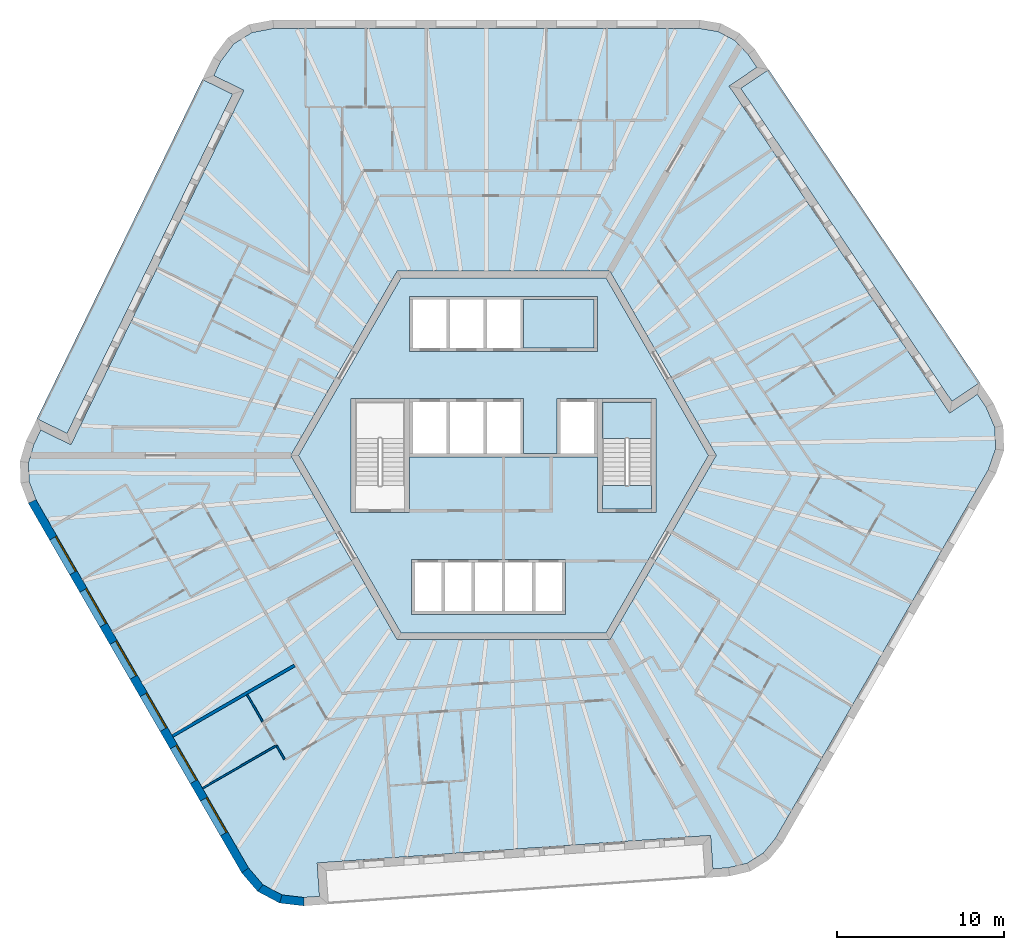
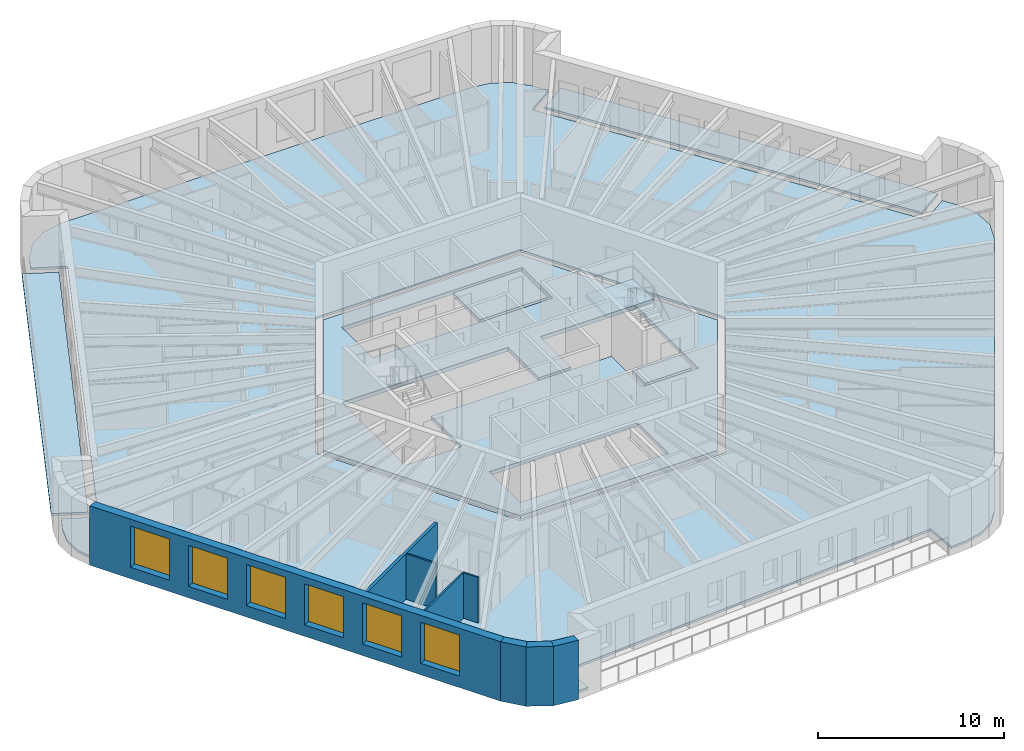
# One storey, part 2 of 12: 8 walls, 7 slabs, 6 windows, 6 openings, 1 element without a shape of its own.
"""IFC4 building model written with IfcOpenShell, lengths in metres."""

from ifc_helpers import new_model, si_unit, direction, frame, frame_2d, origin, place, context, subcontext, project, spatial, polyline, rectangle, outline, extrude, material, layer, layer_set, type_object, element, fill, aggregate, save


model = new_model("IFC4")

# Units and contexts
model_context = context("Model", 3, precision=1e-05, world=origin(), true_north=direction((0.0, 1.0)))
body_context = subcontext(model_context, "Body", "Model", "MODEL_VIEW")
ifc_project = project(units=[si_unit("LENGTHUNIT", "METRE"), si_unit("AREAUNIT", "SQUARE_METRE"), si_unit("VOLUMEUNIT", "CUBIC_METRE"), si_unit("PLANEANGLEUNIT", "RADIAN"), si_unit("MASSUNIT", "GRAM", prefix="KILO")], contexts=[model_context])

# Site, building, storey
site_placement = place(None, origin())
site = spatial("IfcSite", under=ifc_project, at=site_placement, CompositionType="ELEMENT")
building_placement = place(site_placement, origin())
building = spatial("IfcBuilding", under=site, at=building_placement, Name="Tarnside Tower", CompositionType="ELEMENT")
storey_placement = place(building_placement, frame((0.0, 0.0, 310.800048828125)))
storey = spatial("IfcBuildingStorey", under=building, at=storey_placement, Name="L75", CompositionType="ELEMENT", Elevation=310.800048828125)

# Slabs
ifc_material_1 = material(Name="Concrete C35/45", Category="concrete")
ifc_layer_1 = layer(ifc_material_1, 0.14990234375)
ifc_layer_set_1 = layer_set([ifc_layer_1], Name="Composite floor slab 150")
slab_type_1 = type_object("IfcSlabType", Name="Composite floor slab 150", PredefinedType="FLOOR", material=ifc_layer_set_1)
slab_1_placement = place(storey_placement, frame((0.0, 0.0, -0.150146484375)))
element("IfcSlab", 1, at=slab_1_placement, inside=storey, type_object=slab_type_1, Name="Floor slab L75", PredefinedType="FLOOR", context=body_context, shape_type="SweptSolid", body=[
    extrude(outline(polyline([(12.81689453125, 25.312744140625), (13.818115234375, 24.7802734375), (14.610595703125, 23.940185546875), (15.130615234375, 23.169677734375), (13.472412109375, 22.05126953125), (26.638427734375, 2.53173828125), (28.29638671875, 3.650146484375), (28.814697265625, 2.8818359375), (29.336669921875, 1.671875), (29.3818359375, 0.378662109375), (28.945556640625, -0.864990234375), (16.2451171875, -22.86279296875), (15.51318359375, -23.756103515625), (14.55126953125, -24.35693359375), (13.427490234375, -24.623291015625), (12.500244140625, -24.688232421875), (12.360595703125, -22.693115234375), (-11.126708984375, -24.33544921875), (-10.9873046875, -26.33056640625), (-11.91162109375, -26.395263671875), (-13.220458984375, -26.2421875), (-14.363037109375, -25.634765625), (-15.2216796875, -24.635009765625), (-27.922119140625, -2.63720703125), (-28.329833984375, -1.556640625), (-28.369384765625, -0.42333984375), (-28.0380859375, 0.68310546875), (-27.630615234375, 1.5185546875), (-25.8330078125, 0.641845703125), (-15.51171875, 21.8037109375), (-17.309326171875, 22.680419921875), (-16.903076171875, 23.51318359375), (-16.1162109375, 24.5703125), (-15.018798828125, 25.256103515625), (-13.723876953125, 25.5), (11.67724609375, 25.5), (12.81689453125, 25.312744140625)]), holes=[polyline([(-12.70166015625, 0.0), (-6.350830078125, -11.0), (6.350830078125, -11.0), (12.70166015625, 0.0), (6.350830078125, 11.0), (-6.350830078125, 11.0), (-12.70166015625, 0.0)])]), origin(), (0.0, 0.0, 1.0), 0.150146484375),
])
ifc_material_2 = material(Name="Concrete C40/50", Category="concrete")
ifc_layer_2 = layer(ifc_material_2, 0.25)
ifc_layer_set_2 = layer_set([ifc_layer_2], Name="Core slab C40/50")
slab_type_2 = type_object("IfcSlabType", Name="Core slab C40/50", PredefinedType="FLOOR", material=ifc_layer_set_2)
slab_2_placement = place(storey_placement, frame((0.0, 0.0, -0.25)))
element("IfcSlab", 2, at=slab_2_placement, inside=storey, type_object=slab_type_2, Name="L75 core floor slab 1", PredefinedType="FLOOR", context=body_context, shape_type="SweptSolid", body=[
    extrude(outline(polyline([(6.119873046875, 10.60009765625), (12.23974609375, 0.0), (6.119873046875, -10.60009765625), (-6.119873046875, -10.60009765625), (-12.23974609375, 0.0), (-6.119873046875, 10.60009765625), (6.119873046875, 10.60009765625)]), holes=[polyline([(-5.5, -9.5), (3.699951171875, -9.5), (3.699951171875, -9.300048828125), (3.699951171875, -6.39990234375), (3.699951171875, -6.199951171875), (-5.5, -6.199951171875), (-5.5, -6.39990234375), (-5.5, -9.300048828125), (-5.5, -9.5)]), polyline([(-5.60009765625, -3.39990234375), (-5.60009765625, -0.10009765625), (5.60009765625, -0.10009765625), (5.60009765625, -3.39990234375), (5.89990234375, -3.39990234375), (8.85009765625, -3.39990234375), (9.10009765625, -3.39990234375), (9.10009765625, 3.39990234375), (8.85009765625, 3.39990234375), (5.89990234375, 3.39990234375), (5.60009765625, 3.39990234375), (3.39990234375, 3.39990234375), (3.199951171875, 3.39990234375), (3.199951171875, 0.10009765625), (1.199951171875, 0.10009765625), (1.199951171875, 3.39990234375), (1.0, 3.39990234375), (-5.60009765625, 3.39990234375), (-5.89990234375, 3.39990234375), (-8.85009765625, 3.39990234375), (-9.10009765625, 3.39990234375), (-9.10009765625, -3.39990234375), (-8.85009765625, -3.39990234375), (-5.89990234375, -3.39990234375), (-5.60009765625, -3.39990234375)]), polyline([(-5.60009765625, 6.199951171875), (5.60009765625, 6.199951171875), (5.60009765625, 6.39990234375), (5.60009765625, 9.300048828125), (5.60009765625, 9.5), (-5.60009765625, 9.5), (-5.60009765625, 9.300048828125), (-5.60009765625, 6.39990234375), (-5.60009765625, 6.199951171875)])]), origin(), (0.0, 0.0, 1.0), 0.25),
])
slab_3_placement = place(storey_placement, frame((0.0, 0.0, -0.25)))
element("IfcSlab", 3, at=slab_3_placement, inside=storey, type_object=slab_type_2, Name="L75 core floor slab 3", PredefinedType="FLOOR", context=body_context, shape_type="SweptSolid", body=[
    extrude(outline(polyline([(5.89990234375, -1.800048828125), (8.85009765625, -1.800048828125), (8.85009765625, -3.199951171875), (5.89990234375, -3.199951171875), (5.89990234375, -1.800048828125)])), origin(), (0.0, 0.0, 1.0), 0.25),
])
slab_4_placement = place(storey_placement, frame((0.0, 0.0, -0.25)))
element("IfcSlab", 4, at=slab_4_placement, inside=storey, type_object=slab_type_2, Name="L75 core floor slab 4", PredefinedType="FLOOR", context=body_context, shape_type="SweptSolid", body=[
    extrude(outline(polyline([(5.39990234375, 6.39990234375), (1.199951171875, 6.39990234375), (1.199951171875, 9.300048828125), (5.39990234375, 9.300048828125), (5.39990234375, 6.39990234375)])), origin(), (0.0, 0.0, 1.0), 0.25),
])
ifc_material_3 = material(Name="Timber decking", Category="wood")
ifc_layer_3 = layer(ifc_material_3, 0.0400390625)
ifc_material_4 = material(Name="Concrete C60/75 precast", Category="concrete")
ifc_layer_4 = layer(ifc_material_4, 0.110107421875)
ifc_layer_set_3 = layer_set([ifc_layer_3, ifc_layer_4], Name="Loggia deck 150")
slab_type_3 = type_object("IfcSlabType", Name="Loggia deck 150", PredefinedType="FLOOR", material=ifc_layer_set_3)
slab_5_placement = place(storey_placement, frame((0.0, 0.0, -0.150146484375)))
element("IfcSlab", 5, at=slab_5_placement, inside=storey, type_object=slab_type_3, Name="Loggia deck L75 F2", PredefinedType="FLOOR", context=body_context, shape_type="SweptSolid", body=[
    extrude(outline(polyline([(-16.180419921875, 21.573486328125), (-26.063232421875, 1.310302734375), (-27.86083984375, 2.187255859375), (-17.97802734375, 22.4501953125), (-16.180419921875, 21.573486328125)])), origin(), (0.0, 0.0, 1.0), 0.150146484375),
])
slab_6_placement = place(storey_placement, frame((0.0, 0.0, -0.150146484375)))
element("IfcSlab", 6, at=slab_6_placement, inside=storey, type_object=slab_type_3, Name="Loggia deck L75 F6", PredefinedType="FLOOR", context=body_context, shape_type="SweptSolid", body=[
    extrude(outline(polyline([(26.7734375, 3.225830078125), (14.16650390625, 21.916259765625), (15.82470703125, 23.03466796875), (28.431396484375, 4.34423828125), (26.7734375, 3.225830078125)])), origin(), (0.0, 0.0, 1.0), 0.150146484375),
])

# Stair, slab
stair_type = type_object("IfcStairType", Name="Exit stair 1400 clear", PredefinedType="HALF_TURN_STAIR", material=ifc_material_2)
stair_placement = place(storey_placement, origin())
stair = element("IfcStair", 7, at=stair_placement, inside=storey, type_object=stair_type, Name="L75 Exit stair 1", PredefinedType="HALF_TURN_STAIR")
ifc_layer_5 = layer(ifc_material_2, 0.199951171875)
ifc_layer_set_4 = layer_set([ifc_layer_5], Name="Stair landing 200 C40/50")
slab_type_4 = type_object("IfcSlabType", Name="Stair landing 200 C40/50", PredefinedType="LANDING", material=ifc_layer_set_4)
slab_7_placement = place(storey_placement, frame((0.0, 0.0, 1.75)))
slab_7 = element("IfcSlab", 8, at=slab_7_placement, type_object=slab_type_4, Name="ST1 landing 1", PredefinedType="LANDING", context=body_context, shape_type="SweptSolid", body=[
    extrude(outline(polyline([(8.85009765625, 1.0), (8.85009765625, 3.199951171875), (5.89990234375, 3.199951171875), (5.89990234375, 1.0), (8.85009765625, 1.0)])), origin(), (0.0, 0.0, 1.0), 0.199951171875),
])
aggregate(stair, [slab_7])

# Walls
ifc_material_5 = material(Name="Gypsum board partition on steel studs", Category="steel")
ifc_layer_6 = layer(ifc_material_5, 0.10009765625)
ifc_layer_set_5 = layer_set([ifc_layer_6], Name="Bathroom wall 100")
wall_type_1 = type_object("IfcWallType", Name="Bathroom wall 100", PredefinedType="PARTITIONING", material=ifc_layer_set_5)
wall_1_placement = place(storey_placement, frame((-15.3095703125, -14.283203125, 0.0), z_axis=(0.0, 0.0, 1.0), x_axis=(0.500059143742, -0.865991254436, 0.0)))
element("IfcWall", 9, at=wall_1_placement, inside=storey, type_object=wall_type_1, Name="Bathroom wall 24132", PredefinedType="PARTITIONING", context=body_context, shape_type="SweptSolid", body=[
    extrude(rectangle(XDim=1.862060546875, YDim=0.10009765625, at=frame_2d((0.93115234375, 0.0))), origin(), (0.0, 0.0, 1.0), 2.98779296875),
])
ifc_layer_7 = layer(ifc_material_5, 0.179931640625)
ifc_layer_set_6 = layer_set([ifc_layer_7], Name="Demising wall 180 EI 60")
wall_type_2 = type_object("IfcWallType", Name="Demising wall 180 EI 60", PredefinedType="PARTITIONING", material=ifc_layer_set_6)
wall_2_placement = place(storey_placement, frame((-19.771240234375, -16.755126953125, 0.0), z_axis=(0.0, 0.0, 1.0), x_axis=(0.866026819143, 0.499997548519, 0.0)))
element("IfcWall", 10, at=wall_2_placement, inside=storey, type_object=wall_type_2, Name="Demising wall 24116", PredefinedType="PARTITIONING", context=body_context, shape_type="SweptSolid", body=[
    extrude(rectangle(XDim=8.4248046875, YDim=0.179931640625, at=frame_2d((4.21240234375, 0.0))), origin(), (0.0, 0.0, 1.0), 2.98779296875),
])
ifc_layer_8 = layer(ifc_material_5, 0.10009765625)
ifc_layer_set_7 = layer_set([ifc_layer_8], Name="Partition 100")
wall_type_3 = type_object("IfcWallType", Name="Partition 100", PredefinedType="PARTITIONING", material=ifc_layer_set_7)
wall_3_placement = place(storey_placement, frame((-13.07958984375, -18.1455078125, 0.0), z_axis=(0.0, 0.0, 1.0), x_axis=(-0.49986306505, 0.866104448781, 0.0)))
element("IfcWall", 11, at=wall_3_placement, inside=storey, type_object=wall_type_3, Name="Partition wall 24126", PredefinedType="PARTITIONING", context=body_context, shape_type="SweptSolid", body=[
    extrude(rectangle(XDim=0.951904296875, YDim=0.10009765625, at=frame_2d((0.47607421875, 0.0))), origin(), (0.0, 0.0, 1.0), 2.98779296875),
])
wall_4_placement = place(storey_placement, frame((-13.597900390625, -17.347900390625, 0.0), z_axis=(0.0, 0.0, 1.0), x_axis=(-0.866026981659, -0.499997267031, 0.0)))
element("IfcWall", 12, at=wall_4_placement, inside=storey, type_object=wall_type_3, Name="Partition wall 24127", PredefinedType="PARTITIONING", context=body_context, shape_type="SweptSolid", body=[
    extrude(rectangle(XDim=5.0498046875, YDim=0.10009765625, at=frame_2d((2.52490234375, 0.0))), origin(), (0.0, 0.0, 1.0), 2.98779296875),
])

# Wall, openings, windows
ifc_material_6 = material(Name="Facing brick", Category="masonry")
ifc_layer_9 = layer(ifc_material_6, 0.10205078125)
ifc_layer_10 = layer(ifc_material_4, 0.298095703125)
ifc_material_7 = material(Name="Mineral wool insulation")
ifc_layer_11 = layer(ifc_material_7, 0.10009765625)
ifc_layer_set_8 = layer_set([ifc_layer_9, ifc_layer_10, ifc_layer_11], Name="Tube wall 500 brick faced")
wall_type_4 = type_object("IfcWallType", Name="Tube wall 500 brick faced", PredefinedType="SOLIDWALL", material=ifc_layer_set_8)
wall_5_placement = place(storey_placement, frame((-28.14892578125, -2.74462890625, -0.150146484375), z_axis=(0.0, 0.0, 1.0), x_axis=(0.500003737743, -0.866023245787, 0.0)))
wall_5 = element("IfcWall", 13, at=wall_5_placement, inside=storey, type_object=wall_type_4, Name="Tube wall L75 F3 flush 12", PredefinedType="SOLIDWALL", context=body_context, shape_type="SweptSolid", body=[
    extrude(outline(polyline([(-0.0205078125, -0.25), (25.468017578125, -0.25), (25.421142578125, 0.25), (0.0205078125, 0.25), (-0.0205078125, -0.25)])), origin(), (0.0, 0.0, 1.0), 3.900146484375),
])
opening_1_placement = place(wall_5_placement, frame((2.5224609375, 0.0, 0.75)))
opening_1 = element("IfcOpeningElement", 14, at=opening_1_placement, cuts=wall_5, Name="Opening WR", PredefinedType="OPENING", context=body_context, shape_type="SweptSolid", body=[
    extrude(rectangle(XDim=2.39990234375, YDim=2.699951171875, at=frame_2d((1.199951171875, 1.35009765625))), frame((0.0, 0.260009765625, 0.0), z_axis=(0.0, -1.0, 0.0), x_axis=(1.0, 0.0, 0.0)), (0.0, 0.0, 1.0), 0.52001953125),
])
opening_2_placement = place(wall_5_placement, frame((6.122314453125, 0.0, 0.75)))
opening_2 = element("IfcOpeningElement", 15, at=opening_2_placement, cuts=wall_5, Name="Opening WR", PredefinedType="OPENING", context=body_context, shape_type="SweptSolid", body=[
    extrude(rectangle(XDim=2.39990234375, YDim=2.699951171875, at=frame_2d((1.199951171875, 1.35009765625))), frame((0.0, 0.260009765625, 0.0), z_axis=(0.0, -1.0, 0.0), x_axis=(1.0, 0.0, 0.0)), (0.0, 0.0, 1.0), 0.52001953125),
])
opening_3_placement = place(wall_5_placement, frame((9.722412109375, 0.0, 0.75)))
opening_3 = element("IfcOpeningElement", 16, at=opening_3_placement, cuts=wall_5, Name="Opening WR", PredefinedType="OPENING", context=body_context, shape_type="SweptSolid", body=[
    extrude(rectangle(XDim=2.39990234375, YDim=2.699951171875, at=frame_2d((1.199951171875, 1.35009765625))), frame((0.0, 0.260009765625, 0.0), z_axis=(0.0, -1.0, 0.0), x_axis=(1.0, 0.0, 0.0)), (0.0, 0.0, 1.0), 0.52001953125),
])
opening_4_placement = place(wall_5_placement, frame((13.322509765625, 0.0, 0.75)))
opening_4 = element("IfcOpeningElement", 17, at=opening_4_placement, cuts=wall_5, Name="Opening WR", PredefinedType="OPENING", context=body_context, shape_type="SweptSolid", body=[
    extrude(rectangle(XDim=2.39990234375, YDim=2.699951171875, at=frame_2d((1.199951171875, 1.35009765625))), frame((0.0, 0.260009765625, 0.0), z_axis=(0.0, -1.0, 0.0), x_axis=(1.0, 0.0, 0.0)), (0.0, 0.0, 1.0), 0.52001953125),
])
opening_5_placement = place(wall_5_placement, frame((16.92236328125, 0.0, 0.75)))
opening_5 = element("IfcOpeningElement", 18, at=opening_5_placement, cuts=wall_5, Name="Opening WR", PredefinedType="OPENING", context=body_context, shape_type="SweptSolid", body=[
    extrude(rectangle(XDim=2.39990234375, YDim=2.699951171875, at=frame_2d((1.199951171875, 1.35009765625))), frame((0.0, 0.260009765625, 0.0), z_axis=(0.0, -1.0, 0.0), x_axis=(1.0, 0.0, 0.0)), (0.0, 0.0, 1.0), 0.52001953125),
])
opening_6_placement = place(wall_5_placement, frame((20.5224609375, 0.0, 0.75)))
opening_6 = element("IfcOpeningElement", 19, at=opening_6_placement, cuts=wall_5, Name="Opening WR", PredefinedType="OPENING", context=body_context, shape_type="SweptSolid", body=[
    extrude(rectangle(XDim=2.39990234375, YDim=2.699951171875, at=frame_2d((1.199951171875, 1.35009765625))), frame((0.0, 0.260009765625, 0.0), z_axis=(0.0, -1.0, 0.0), x_axis=(1.0, 0.0, 0.0)), (0.0, 0.0, 1.0), 0.52001953125),
])
ifc_material_8 = material(Name="Aluminium-framed double glazing", Category="aluminium")
window_type = type_object("IfcWindowType", Name="Residence window 2400 x 2700", PartitioningType="DOUBLE_PANEL_VERTICAL", PredefinedType="WINDOW", material=ifc_material_8)
window_1_placement = place(opening_1_placement, frame((0.0, 0.179931640625, 0.0)))
window_1 = element("IfcWindow", 20, at=window_1_placement, inside=storey, type_object=window_type, Name="E.WN.L75.F3.00", OverallHeight=2.699951171875, OverallWidth=2.39990234375, PartitioningType="DOUBLE_PANEL_VERTICAL", PredefinedType="WINDOW", context=body_context, shape_type="SweptSolid", body=[
    extrude(rectangle(XDim=2.39990234375, YDim=2.699951171875, at=frame_2d((1.199951171875, 1.35009765625))), frame((0.0, 0.030029296875, 0.0), z_axis=(0.0, -1.0, 0.0), x_axis=(1.0, 0.0, 0.0)), (0.0, 0.0, 1.0), 0.06005859375),
])
fill(opening_1, window_1)
window_2_placement = place(opening_2_placement, frame((0.0, 0.179931640625, 0.0)))
window_2 = element("IfcWindow", 21, at=window_2_placement, inside=storey, type_object=window_type, Name="E.WN.L75.F3.01", OverallHeight=2.699951171875, OverallWidth=2.39990234375, PartitioningType="DOUBLE_PANEL_VERTICAL", PredefinedType="WINDOW", context=body_context, shape_type="SweptSolid", body=[
    extrude(rectangle(XDim=2.39990234375, YDim=2.699951171875, at=frame_2d((1.199951171875, 1.35009765625))), frame((0.0, 0.030029296875, 0.0), z_axis=(0.0, -1.0, 0.0), x_axis=(1.0, 0.0, 0.0)), (0.0, 0.0, 1.0), 0.06005859375),
])
fill(opening_2, window_2)
window_3_placement = place(opening_3_placement, frame((0.0, 0.179931640625, 0.0)))
window_3 = element("IfcWindow", 22, at=window_3_placement, inside=storey, type_object=window_type, Name="E.WN.L75.F3.02", OverallHeight=2.699951171875, OverallWidth=2.39990234375, PartitioningType="DOUBLE_PANEL_VERTICAL", PredefinedType="WINDOW", context=body_context, shape_type="SweptSolid", body=[
    extrude(rectangle(XDim=2.39990234375, YDim=2.699951171875, at=frame_2d((1.199951171875, 1.35009765625))), frame((0.0, 0.030029296875, 0.0), z_axis=(0.0, -1.0, 0.0), x_axis=(1.0, 0.0, 0.0)), (0.0, 0.0, 1.0), 0.06005859375),
])
fill(opening_3, window_3)
window_4_placement = place(opening_4_placement, frame((0.0, 0.179931640625, 0.0)))
window_4 = element("IfcWindow", 23, at=window_4_placement, inside=storey, type_object=window_type, Name="E.WN.L75.F3.03", OverallHeight=2.699951171875, OverallWidth=2.39990234375, PartitioningType="DOUBLE_PANEL_VERTICAL", PredefinedType="WINDOW", context=body_context, shape_type="SweptSolid", body=[
    extrude(rectangle(XDim=2.39990234375, YDim=2.699951171875, at=frame_2d((1.199951171875, 1.35009765625))), frame((0.0, 0.030029296875, 0.0), z_axis=(0.0, -1.0, 0.0), x_axis=(1.0, 0.0, 0.0)), (0.0, 0.0, 1.0), 0.06005859375),
])
fill(opening_4, window_4)
window_5_placement = place(opening_5_placement, frame((0.0, 0.179931640625, 0.0)))
window_5 = element("IfcWindow", 24, at=window_5_placement, inside=storey, type_object=window_type, Name="E.WN.L75.F3.04", OverallHeight=2.699951171875, OverallWidth=2.39990234375, PartitioningType="DOUBLE_PANEL_VERTICAL", PredefinedType="WINDOW", context=body_context, shape_type="SweptSolid", body=[
    extrude(rectangle(XDim=2.39990234375, YDim=2.699951171875, at=frame_2d((1.199951171875, 1.35009765625))), frame((0.0, 0.030029296875, 0.0), z_axis=(0.0, -1.0, 0.0), x_axis=(1.0, 0.0, 0.0)), (0.0, 0.0, 1.0), 0.06005859375),
])
fill(opening_5, window_5)
window_6_placement = place(opening_6_placement, frame((0.0, 0.179931640625, 0.0)))
window_6 = element("IfcWindow", 25, at=window_6_placement, inside=storey, type_object=window_type, Name="E.WN.L75.F3.05", OverallHeight=2.699951171875, OverallWidth=2.39990234375, PartitioningType="DOUBLE_PANEL_VERTICAL", PredefinedType="WINDOW", context=body_context, shape_type="SweptSolid", body=[
    extrude(rectangle(XDim=2.39990234375, YDim=2.699951171875, at=frame_2d((1.199951171875, 1.35009765625))), frame((0.0, 0.030029296875, 0.0), z_axis=(0.0, -1.0, 0.0), x_axis=(1.0, 0.0, 0.0)), (0.0, 0.0, 1.0), 0.06005859375),
])
fill(opening_6, window_6)

# Walls
wall_6_placement = place(storey_placement, frame((-15.426513671875, -24.7802734375, -0.150146484375), z_axis=(0.0, 0.0, 1.0), x_axis=(0.651616566281, -0.758548515619, 0.0)))
element("IfcWall", 26, at=wall_6_placement, inside=storey, type_object=wall_type_4, Name="Tube wall L75 F3 chord 13", PredefinedType="SOLIDWALL", context=body_context, shape_type="SweptSolid", body=[
    extrude(outline(polyline([(-0.0234375, -0.25), (1.435302734375, -0.25), (1.341064453125, 0.25), (0.0234375, 0.25), (-0.0234375, -0.25)])), origin(), (0.0, 0.0, 1.0), 3.900146484375),
])
wall_7_placement = place(storey_placement, frame((-14.52197265625, -25.833251953125, -0.150146484375), z_axis=(0.0, 0.0, 1.0), x_axis=(0.882926676147, -0.469510899286, 0.0)))
element("IfcWall", 27, at=wall_7_placement, inside=storey, type_object=wall_type_4, Name="Tube wall L75 F3 chord 14", PredefinedType="SOLIDWALL", context=body_context, shape_type="SweptSolid", body=[
    extrude(outline(polyline([(-0.047119140625, -0.25), (1.435546875, -0.25), (1.34130859375, 0.25), (0.047119140625, 0.25), (-0.047119140625, -0.25)])), origin(), (0.0, 0.0, 1.0), 3.900146484375),
])
wall_8_placement = place(storey_placement, frame((-13.296142578125, -26.485107421875, -0.150146484375), z_axis=(0.0, 0.0, 1.0), x_axis=(0.993239161627, -0.116086036245, 0.0)))
element("IfcWall", 28, at=wall_8_placement, inside=storey, type_object=wall_type_4, Name="Tube wall L75 F3 chord 15", PredefinedType="SOLIDWALL", context=body_context, shape_type="SweptSolid", body=[
    extrude(outline(polyline([(-0.047119140625, -0.25), (1.411376953125, -0.25), (1.364501953125, 0.25), (0.047119140625, 0.25), (-0.047119140625, -0.25)])), origin(), (0.0, 0.0, 1.0), 3.900146484375),
])

save(model, "model.ifc")
